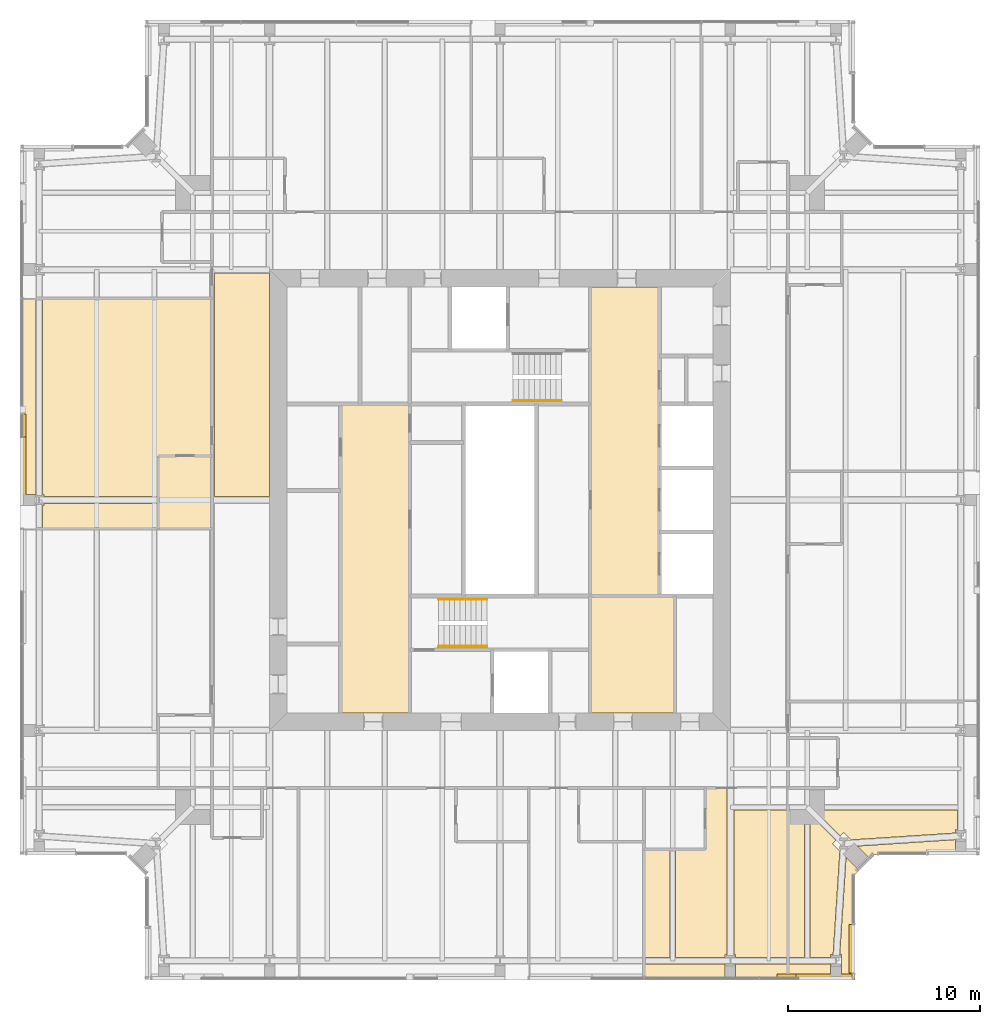
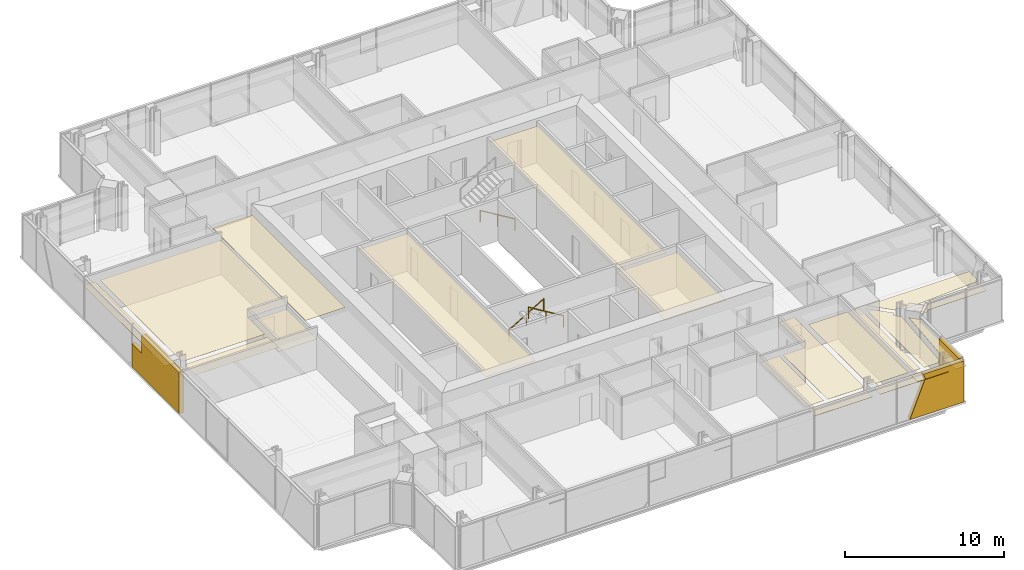
# One storey, part 16 of 20: 22 coverings, 3 railings.
"""IFC4 building model written with IfcOpenShell, lengths in metres."""

from ifc_helpers import new_model, si_unit, direction, frame, origin, origin_2d, place, context, subcontext, project, spatial, polyline, circle, outline, extrude, material, layer, layer_set, type_object, element, save


model = new_model("IFC4")

# Units and contexts
model_context = context("Model", 3, precision=1e-05, world=origin(), true_north=direction((0.0, 1.0)))
body_context = subcontext(model_context, "Body", "Model", "MODEL_VIEW")
ifc_project = project(units=[si_unit("LENGTHUNIT", "METRE"), si_unit("AREAUNIT", "SQUARE_METRE"), si_unit("VOLUMEUNIT", "CUBIC_METRE"), si_unit("PLANEANGLEUNIT", "RADIAN"), si_unit("MASSUNIT", "GRAM", prefix="KILO")], contexts=[model_context])

# Site, building, storey
site_placement = place(None, origin())
site = spatial("IfcSite", under=ifc_project, at=site_placement, CompositionType="ELEMENT")
building_placement = place(site_placement, origin())
building = spatial("IfcBuilding", under=site, at=building_placement, Name="Fenwick Lantern Interchange", CompositionType="ELEMENT")
storey_placement = place(building_placement, frame((0.0, 0.0, 279.800048828125)))
storey = spatial("IfcBuildingStorey", under=building, at=storey_placement, Name="L67", CompositionType="ELEMENT", Elevation=279.800048828125)

# Coverings
ifc_material_1 = material(Name="Granite cladding, warm grey flamed finish, on aluminium carrier frame", Category="masonry")
ifc_layer_1 = layer(ifc_material_1, 0.300048828125)
ifc_layer_set_1 = layer_set([ifc_layer_1], Name="BRACE CASING PANEL 300")
covering_type_1 = type_object("IfcCoveringType", Name="BRACE CASING PANEL 300", PredefinedType="CLADDING", material=ifc_layer_set_1)
covering_1_placement = place(storey_placement, frame((6.60009765625, 0.10009765625, 0.0), z_axis=(0.0, 0.0, 1.0), x_axis=(1.0, 0.0, 0.0)))
element("IfcCovering", 1, at=covering_1_placement, inside=storey, type_object=covering_type_1, Name="Brace casing 01 bay 06a", PredefinedType="CLADDING", context=body_context, shape_type="SweptSolid", body=[
    extrude(outline(polyline([(32.828369140625, 0.0), (36.739990234375, 0.0), (36.739990234375, 3.14990234375), (33.810791015625, 3.14990234375), (33.957275390625, 2.791015625), (32.828369140625, 0.0)])), frame((0.0, 0.2099609375, 0.0), z_axis=(0.0, -1.0, 0.0), x_axis=(1.0, 0.0, 0.0)), (0.0, 0.0, 1.0), 0.300048828125),
])
covering_2_placement = place(storey_placement, frame((43.39990234375, 0.10009765625, 0.0), z_axis=(0.0, 0.0, 1.0), x_axis=(0.0, 1.0, 0.0)))
element("IfcCovering", 2, at=covering_2_placement, inside=storey, type_object=covering_type_1, Name="Brace casing 02 bay 00a", PredefinedType="CLADDING", context=body_context, shape_type="SweptSolid", body=[
    extrude(outline(polyline([(0.260009765625, 0.0), (2.790771484375, 0.0), (2.790771484375, 3.14990234375), (0.260009765625, 3.14990234375), (0.260009765625, 0.0)])), frame((0.0, 0.2099609375, 0.0), z_axis=(0.0, -1.0, 0.0), x_axis=(1.0, 0.0, 0.0)), (0.0, 0.0, 1.0), 0.300048828125),
])
covering_3_placement = place(storey_placement, frame((0.10009765625, 43.39990234375, 0.0), z_axis=(0.0, 0.0, 1.0), x_axis=(0.0, -1.0, 0.0)))
element("IfcCovering", 3, at=covering_3_placement, inside=storey, type_object=covering_type_1, Name="Brace casing 13 bay 03a", PredefinedType="CLADDING", context=body_context, shape_type="SweptSolid", body=[
    extrude(outline(polyline([(13.929931640625, 0.0), (19.8701171875, 0.0), (19.8701171875, 3.14990234375), (15.1201171875, 3.14990234375), (15.1201171875, 1.797119140625), (13.929931640625, 1.797119140625), (13.929931640625, 0.0)])), frame((0.0, 0.2099609375, 0.0), z_axis=(0.0, -1.0, 0.0), x_axis=(1.0, 0.0, 0.0)), (0.0, 0.0, 1.0), 0.300048828125),
])

# Railings
ifc_material_2 = material(Name="Stainless steel handrail", Category="steel")
railing_type = type_object("IfcRailingType", Name="HANDRAIL 900", PredefinedType="HANDRAIL", material=ifc_material_2)
railing_placement = place(storey_placement, frame((21.800048828125, 19.825927734375, 0.169921875)))
element("IfcRailing", 4, at=railing_placement, inside=storey, type_object=railing_type, Name="L67/STAIR/ST1/HR1", PredefinedType="HANDRAIL", context=body_context, shape_type="SweptSolid", body=[
    extrude(circle(Radius=0.02392578125, at=origin_2d()), frame((0.0, 0.0, 0.8759765625), z_axis=(0.85478489116, 0.0, 0.518982456201), x_axis=(0.0, 1.0, 0.0)), (0.0, 0.0, 1.0), 2.9482421875),
    extrude(circle(Radius=0.02099609375, at=origin_2d()), origin(), (0.0, 0.0, 1.0), 0.851806640625),
    extrude(circle(Radius=0.02099609375, at=origin_2d()), frame((1.260009765625, 0.0, 0.76513671875)), (0.0, 0.0, 1.0), 0.851806640625),
    extrude(circle(Radius=0.02099609375, at=origin_2d()), frame((2.52001953125, 0.0, 1.530029296875)), (0.0, 0.0, 1.0), 0.851806640625),
])
for number, where, name in (
    (5, (24.320068359375, 17.3740234375, 1.869873046875), "L67/STAIR/ST1/HR2"),
    (6, (28.199951171875, 30.174072265625, 0.169921875), "L67/STAIR/ST2/HR1"),
):
    element("IfcRailing", number, at=place(storey_placement, frame(where)), inside=storey, type_object=railing_type, Name=name, PredefinedType="HANDRAIL", context=body_context, shape_type="SweptSolid", body=[
        extrude(circle(Radius=0.02392578125, at=origin_2d()), frame((0.0, 0.0, 0.8759765625), z_axis=(-0.85478489116, 0.0, 0.518982456201), x_axis=(0.0, -1.0, 0.0)), (0.0, 0.0, 1.0), 2.9482421875),
        extrude(circle(Radius=0.02099609375, at=origin_2d()), origin(), (0.0, 0.0, 1.0), 0.851806640625),
        extrude(circle(Radius=0.02099609375, at=origin_2d()), frame((-1.260009765625, 0.0, 0.76513671875)), (0.0, 0.0, 1.0), 0.851806640625),
        extrude(circle(Radius=0.02099609375, at=origin_2d()), frame((-2.52001953125, 0.0, 1.530029296875)), (0.0, 0.0, 1.0), 0.851806640625),
    ])

# Coverings
ifc_material_3 = material(Name="Moisture resistant gypsum board on suspended frame, painted")
ifc_layer_2 = layer(ifc_material_3, 0.014892578125)
ifc_layer_set_2 = layer_set([ifc_layer_2], Name="MOISTURE RESISTANT CEILING 15")
covering_type_2 = type_object("IfcCoveringType", Name="MOISTURE RESISTANT CEILING 15", PredefinedType="CEILING", material=ifc_layer_set_2)
covering_4_placement = place(storey_placement, frame((0.0, 0.0, 2.599853515625)))
element("IfcCovering", 7, at=covering_4_placement, inside=storey, type_object=covering_type_2, Name="Women's WC ceiling", PredefinedType="CEILING", context=body_context, shape_type="SweptSolid", body=[
    extrude(outline(polyline([(29.699951171875, 13.89990234375), (34.10009765625, 13.89990234375), (34.10009765625, 20.0), (29.699951171875, 20.0), (29.699951171875, 13.89990234375)])), origin(), (0.0, 0.0, 1.0), 0.01513671875),
])
covering_5_placement = place(storey_placement, frame((0.0, 0.0, 2.235107421875)))
element("IfcCovering", 8, at=covering_5_placement, inside=storey, type_object=covering_type_2, Name="En-suite 6712 ceiling", PredefinedType="CEILING", context=body_context, shape_type="SweptSolid", body=[
    extrude(outline(polyline([(7.199951171875, 27.300048828125), (7.199951171875, 23.5), (10.0, 23.5), (10.0, 27.300048828125), (7.199951171875, 27.300048828125)])), origin(), (0.0, 0.0, 1.0), 0.014892578125),
])
ifc_material_4 = material(Name="Gypsum plasterboard on suspended frame, painted")
ifc_layer_3 = layer(ifc_material_4, 0.014892578125)
ifc_layer_set_3 = layer_set([ifc_layer_3], Name="PLASTERBOARD CEILING 15")
covering_type_3 = type_object("IfcCoveringType", Name="PLASTERBOARD CEILING 15", PredefinedType="CEILING", material=ifc_layer_set_3)
covering_6_placement = place(storey_placement, frame((0.0, 0.0, 2.800048828125)))
element("IfcCovering", 9, at=covering_6_placement, inside=storey, type_object=covering_type_3, Name="Lift lobby ceiling", PredefinedType="CEILING", context=body_context, shape_type="SweptSolid", body=[
    extrude(outline(polyline([(16.699951171875, 13.89990234375), (20.300048828125, 13.89990234375), (20.300048828125, 30.0), (16.699951171875, 30.0), (16.699951171875, 13.89990234375)])), origin(), (0.0, 0.0, 1.0), 0.014892578125),
])
covering_7_placement = place(storey_placement, frame((0.0, 0.0, 2.800048828125)))
element("IfcCovering", 10, at=covering_7_placement, inside=storey, type_object=covering_type_3, Name="Lift lobby ceiling", PredefinedType="CEILING", context=body_context, shape_type="SweptSolid", body=[
    extrude(outline(polyline([(33.300048828125, 36.10009765625), (29.699951171875, 36.10009765625), (29.699951171875, 20.0), (33.300048828125, 20.0), (33.300048828125, 36.10009765625)])), origin(), (0.0, 0.0, 1.0), 0.014892578125),
])
covering_8_placement = place(storey_placement, frame((0.0, 0.0, 2.599853515625)))
element("IfcCovering", 11, at=covering_8_placement, inside=storey, type_object=covering_type_3, Name="Corridor ceiling", PredefinedType="CEILING", context=body_context, shape_type="SweptSolid", body=[
    extrude(outline(polyline([(13.0, 25.175048828125), (13.0, 36.833984375), (10.134521484375, 36.833984375), (10.134521484375, 25.175048828125), (13.0, 25.175048828125)])), origin(), (0.0, 0.0, 1.0), 0.01513671875),
])
covering_9_placement = place(storey_placement, frame((0.0, 0.0, 2.699951171875)))
element("IfcCovering", 12, at=covering_9_placement, inside=storey, type_object=covering_type_3, Name="Guest room 6704 ceiling", PredefinedType="CEILING", context=body_context, shape_type="SweptSolid", body=[
    extrude(outline(polyline([(37.27099609375, 1.3154296875), (37.27099609375, 1.17236328125), (40.0, 1.17236328125), (40.0, 8.865478515625), (37.183837890625, 8.865478515625), (37.183837890625, 1.3154296875), (37.27099609375, 1.3154296875)])), origin(), (0.0, 0.0, 1.0), 0.014892578125),
])
covering_10_placement = place(storey_placement, frame((0.0, 0.0, 2.699951171875)))
element("IfcCovering", 13, at=covering_10_placement, inside=storey, type_object=covering_type_3, Name="Guest room 6704 ceiling", PredefinedType="CEILING", context=body_context, shape_type="SweptSolid", body=[
    extrude(outline(polyline([(36.72900390625, 1.3154296875), (36.816162109375, 1.3154296875), (36.816162109375, 10.0), (35.699951171875, 10.0), (35.699951171875, 6.800048828125), (34.134521484375, 6.800048828125), (34.134521484375, 1.17236328125), (36.72900390625, 1.17236328125), (36.72900390625, 1.3154296875)])), origin(), (0.0, 0.0, 1.0), 0.014892578125),
])
covering_11_placement = place(storey_placement, frame((0.0, 0.0, 2.699951171875)))
element("IfcCovering", 14, at=covering_11_placement, inside=storey, type_object=covering_type_3, Name="Guest room 6704 ceiling", PredefinedType="CEILING", context=body_context, shape_type="SweptSolid", body=[
    extrude(outline(polyline([(32.5, 6.800048828125), (32.5, 1.17236328125), (33.865478515625, 1.17236328125), (33.865478515625, 6.800048828125), (32.5, 6.800048828125)])), origin(), (0.0, 0.0, 1.0), 0.014892578125),
])
covering_12_placement = place(storey_placement, frame((0.0, 0.0, 2.699951171875)))
element("IfcCovering", 15, at=covering_12_placement, inside=storey, type_object=covering_type_3, Name="Guest room 6704 ceiling", PredefinedType="CEILING", context=body_context, shape_type="SweptSolid", body=[
    extrude(outline(polyline([(36.72900390625, 0.0), (36.72900390625, 0.82763671875), (32.5, 0.82763671875), (32.5, 0.0), (36.72900390625, 0.0)])), origin(), (0.0, 0.0, 1.0), 0.014892578125),
])
covering_13_placement = place(storey_placement, frame((0.0, 0.0, 2.699951171875)))
element("IfcCovering", 16, at=covering_13_placement, inside=storey, type_object=covering_type_3, Name="Guest room 6704 ceiling", PredefinedType="CEILING", context=body_context, shape_type="SweptSolid", body=[
    extrude(outline(polyline([(37.27099609375, 0.0), (40.0, 0.0), (40.0, 0.82763671875), (37.27099609375, 0.82763671875), (37.27099609375, 0.0)])), origin(), (0.0, 0.0, 1.0), 0.014892578125),
])
covering_14_placement = place(storey_placement, frame((0.0, 0.0, 2.699951171875)))
element("IfcCovering", 17, at=covering_14_placement, inside=storey, type_object=covering_type_3, Name="Guest suite 6705 ceiling", PredefinedType="CEILING", context=body_context, shape_type="SweptSolid", body=[
    extrude(outline(polyline([(48.72265625, 7.83447265625), (48.82763671875, 7.83447265625), (48.82763671875, 8.865478515625), (41.351318359375, 8.865478515625), (42.71728515625, 7.499755859375), (42.89990234375, 7.6826171875), (43.284423828125, 7.298095703125), (48.72265625, 7.654541015625), (48.72265625, 7.83447265625)])), origin(), (0.0, 0.0, 1.0), 0.014892578125),
])
covering_15_placement = place(storey_placement, frame((0.0, 0.0, 2.699951171875)))
element("IfcCovering", 18, at=covering_15_placement, inside=storey, type_object=covering_type_3, Name="Guest suite 6705 ceiling", PredefinedType="CEILING", context=body_context, shape_type="SweptSolid", body=[
    extrude(outline(polyline([(42.22265625, 1.33447265625), (42.34912109375, 1.33447265625), (42.701904296875, 6.715576171875), (42.3173828125, 7.10009765625), (42.500244140625, 7.28271484375), (41.134521484375, 8.648681640625), (41.134521484375, 1.17236328125), (42.22265625, 1.17236328125), (42.22265625, 1.33447265625)])), origin(), (0.0, 0.0, 1.0), 0.014892578125),
])
covering_16_placement = place(storey_placement, frame((0.0, 0.0, 2.699951171875)))
element("IfcCovering", 19, at=covering_16_placement, inside=storey, type_object=covering_type_3, Name="Guest suite 6705 ceiling", PredefinedType="CEILING", context=body_context, shape_type="SweptSolid", body=[
    extrude(outline(polyline([(40.0, 8.865478515625), (40.0, 1.17236328125), (40.865478515625, 1.17236328125), (40.865478515625, 8.865478515625), (40.0, 8.865478515625)])), origin(), (0.0, 0.0, 1.0), 0.014892578125),
])
covering_17_placement = place(storey_placement, frame((0.0, 0.0, 2.699951171875)))
element("IfcCovering", 20, at=covering_17_placement, inside=storey, type_object=covering_type_3, Name="Guest suite 6705 ceiling", PredefinedType="CEILING", context=body_context, shape_type="SweptSolid", body=[
    extrude(outline(polyline([(42.69482421875, 1.33447265625), (42.77734375, 1.33447265625), (42.77734375, 0.0), (43.5, 0.0), (43.5, 5.5), (43.708740234375, 5.708740234375), (43.0263671875, 6.39111328125), (42.69482421875, 1.33447265625)])), origin(), (0.0, 0.0, 1.0), 0.014892578125),
])
covering_18_placement = place(storey_placement, frame((0.0, 0.0, 2.699951171875)))
element("IfcCovering", 21, at=covering_18_placement, inside=storey, type_object=covering_type_3, Name="Guest suite 6705 ceiling", PredefinedType="CEILING", context=body_context, shape_type="SweptSolid", body=[
    extrude(outline(polyline([(48.72265625, 6.5), (48.72265625, 7.30908203125), (43.60888671875, 6.9736328125), (44.291259765625, 6.291259765625), (44.5, 6.5), (48.72265625, 6.5)])), origin(), (0.0, 0.0, 1.0), 0.014892578125),
])
covering_19_placement = place(storey_placement, frame((0.0, 0.0, 2.699951171875)))
element("IfcCovering", 22, at=covering_19_placement, inside=storey, type_object=covering_type_3, Name="Guest suite 6705 ceiling", PredefinedType="CEILING", context=body_context, shape_type="SweptSolid", body=[
    extrude(outline(polyline([(42.22265625, 0.0), (42.22265625, 0.82763671875), (40.0, 0.82763671875), (40.0, 0.0), (42.22265625, 0.0)])), origin(), (0.0, 0.0, 1.0), 0.014892578125),
])
covering_20_placement = place(storey_placement, frame((0.0, 0.0, 2.57275390625)))
element("IfcCovering", 23, at=covering_20_placement, inside=storey, type_object=covering_type_3, Name="Guest suite 6712 ceiling", PredefinedType="CEILING", context=body_context, shape_type="SweptSolid", body=[
    extrude(outline(polyline([(1.26220703125, 25.28759765625), (1.26220703125, 25.175048828125), (7.199951171875, 25.175048828125), (7.199951171875, 27.300048828125), (10.0, 27.300048828125), (10.0, 35.5), (1.17236328125, 35.5), (1.17236328125, 25.28759765625), (1.26220703125, 25.28759765625)])), origin(), (0.0, 0.0, 1.0), 0.01513671875),
])
covering_21_placement = place(storey_placement, frame((0.0, 0.0, 2.57275390625)))
element("IfcCovering", 24, at=covering_21_placement, inside=storey, type_object=covering_type_3, Name="Guest suite 6712 ceiling", PredefinedType="CEILING", context=body_context, shape_type="SweptSolid", body=[
    extrude(outline(polyline([(0.0, 25.28759765625), (0.82763671875, 25.28759765625), (0.82763671875, 35.5), (0.0, 35.5), (0.0, 25.28759765625)])), origin(), (0.0, 0.0, 1.0), 0.01513671875),
])
covering_22_placement = place(storey_placement, frame((0.0, 0.0, 2.57275390625)))
element("IfcCovering", 25, at=covering_22_placement, inside=storey, type_object=covering_type_3, Name="Guest suite 6712 ceiling", PredefinedType="CEILING", context=body_context, shape_type="SweptSolid", body=[
    extrude(outline(polyline([(1.26220703125, 24.71240234375), (1.17236328125, 24.71240234375), (1.17236328125, 23.5), (7.199951171875, 23.5), (7.199951171875, 24.824951171875), (1.26220703125, 24.824951171875), (1.26220703125, 24.71240234375)])), origin(), (0.0, 0.0, 1.0), 0.01513671875),
])

save(model, "model.ifc")
